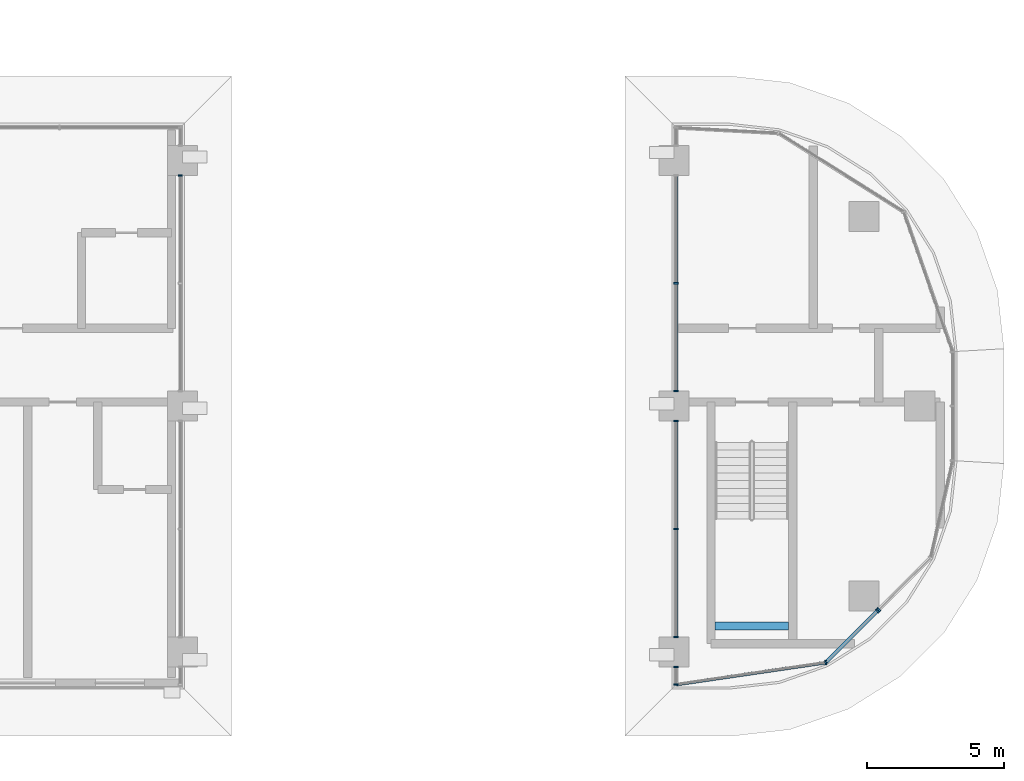
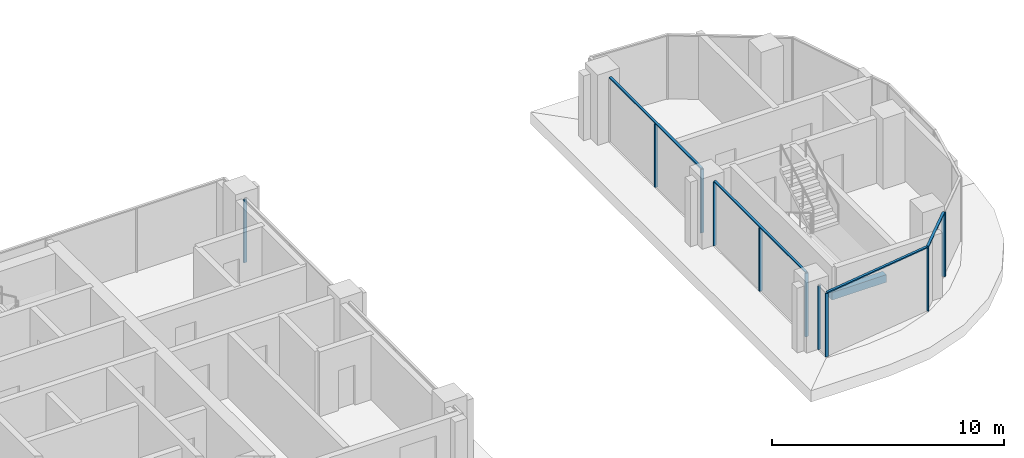
# One storey, part 3 of 27: 15 members, 1 beam, 6 elements without a shape of their own.
"""IFC4 building model written with IfcOpenShell, lengths in metres."""

from ifc_helpers import new_model, si_unit, direction, frame, origin, origin_2d, place, context, subcontext, project, spatial, rectangle, extrude, material, material_profile, profile_set, type_object, element, aggregate, save


model = new_model("IFC4")

# Units and contexts
model_context = context("Model", 3, precision=1e-05, world=origin(), true_north=direction((0.0, 1.0)))
body_context = subcontext(model_context, "Body", "Model", "MODEL_VIEW")
ifc_project = project(units=[si_unit("LENGTHUNIT", "METRE"), si_unit("AREAUNIT", "SQUARE_METRE"), si_unit("VOLUMEUNIT", "CUBIC_METRE"), si_unit("PLANEANGLEUNIT", "RADIAN"), si_unit("MASSUNIT", "GRAM", prefix="KILO")], contexts=[model_context])

# Site, building, storey
site_placement = place(None, origin())
site = spatial("IfcSite", under=ifc_project, at=site_placement, CompositionType="ELEMENT")
building_placement = place(site_placement, origin())
building = spatial("IfcBuilding", under=site, at=building_placement, Name="Ogive Portal Towers", CompositionType="ELEMENT")
storey_placement = place(building_placement, frame((0.0, 0.0, 160.699951171875)))
storey = spatial("IfcBuildingStorey", under=building, at=storey_placement, Name="L39", CompositionType="ELEMENT", Elevation=160.699951171875)

# Beam
ifc_material_1 = material(Name="Concrete C40/50", Category="concrete")
ifc_material_profile_1 = material_profile(ifc_material_1, rectangle(XDim=0.300048828125, YDim=0.39990234375, at=origin_2d()), Name="RC 300x400")
ifc_profile_set_1 = profile_set([ifc_material_profile_1], Name="Concrete C40/50")
beam_type = type_object("IfcBeamType", Name="BEAM RC 300x400", PredefinedType="BEAM", material=ifc_profile_set_1)
beam_placement = place(storey_placement, frame((87.0, 22.449951171875, 1.449951171875), z_axis=(1.0, 0.0, 0.0), x_axis=(0.0, 1.0, 0.0)))
element("IfcBeam", 1, at=beam_placement, inside=storey, type_object=beam_type, Name="Landing beam L39", PredefinedType="BEAM", context=body_context, shape_type="SweptSolid", body=[
    extrude(rectangle(XDim=0.300048828125, YDim=0.39990234375, at=origin_2d()), origin(), (0.0, 0.0, 1.0), 2.699951171875),
])

# Curtain wall, member
ifc_material_2 = material(Name="Glass, clear low-iron insulated glazing", Category="glass")
curtain_wall_type_1 = type_object("IfcCurtainWallType", Name="CW PORTAL REVEAL", PredefinedType="NOTDEFINED", material=ifc_material_2)
curtain_wall_1_placement = place(storey_placement, origin())
curtain_wall_1 = element("IfcCurtainWall", 2, at=curtain_wall_1_placement, inside=storey, type_object=curtain_wall_type_1, Name="A:L39:f06:cw0~2", PredefinedType="NOTDEFINED")
ifc_material_3 = material(Name="Aluminium 6063 anodised", Category="aluminium")
ifc_material_profile_2 = material_profile(ifc_material_3, rectangle(XDim=0.159912109375, YDim=0.06005859375, at=origin_2d()), Name="AL 60x160")
ifc_profile_set_2 = profile_set([ifc_material_profile_2], Name="Aluminium 6063 anodised")
member_type_1 = type_object("IfcMemberType", Name="CW MULLION 60x160", PredefinedType="MULLION", material=ifc_profile_set_2)
member_1_placement = place(storey_placement, frame((67.419921875, 38.949951171875, 0.0), z_axis=(0.0, 0.0, 1.0), x_axis=(-1.0, 0.0, 0.0)))
member_1 = element("IfcMember", 3, at=member_1_placement, type_object=member_type_1, Name="mullion", PredefinedType="MULLION", context=body_context, shape_type="SweptSolid", body=[
    extrude(rectangle(XDim=0.159912109375, YDim=0.06005859375, at=origin_2d()), origin(), (0.0, 0.0, 1.0), 3.340087890625),
])
aggregate(curtain_wall_1, [member_1])

# Curtain wall, members
curtain_wall_2_placement = place(storey_placement, origin())
curtain_wall_2 = element("IfcCurtainWall", 4, at=curtain_wall_2_placement, inside=storey, type_object=curtain_wall_type_1, Name="A:L39:f22:cw0~1", PredefinedType="NOTDEFINED")
member_2_placement = place(storey_placement, frame((85.580078125, 35.0, 0.0), z_axis=(0.0, 0.0, 1.0), x_axis=(1.0, 0.0, 0.0)))
member_2 = element("IfcMember", 5, at=member_2_placement, type_object=member_type_1, Name="mullion", PredefinedType="MULLION", context=body_context, shape_type="SweptSolid", body=[
    extrude(rectangle(XDim=0.159912109375, YDim=0.06005859375, at=origin_2d()), origin(), (0.0, 0.0, 1.0), 3.340087890625),
])
member_3_placement = place(storey_placement, frame((85.580078125, 31.050048828125, 0.0), z_axis=(0.0, 0.0, 1.0), x_axis=(1.0, 0.0, 0.0)))
member_3 = element("IfcMember", 6, at=member_3_placement, type_object=member_type_1, Name="mullion", PredefinedType="MULLION", context=body_context, shape_type="SweptSolid", body=[
    extrude(rectangle(XDim=0.159912109375, YDim=0.06005859375, at=origin_2d()), origin(), (0.0, 0.0, 1.0), 3.340087890625),
])

curtain_wall_3_placement = place(storey_placement, origin())
curtain_wall_3 = element("IfcCurtainWall", 7, at=curtain_wall_3_placement, inside=storey, type_object=curtain_wall_type_1, Name="A:L39:f22:cw0~2", PredefinedType="NOTDEFINED")
member_4_placement = place(storey_placement, frame((85.580078125, 29.949951171875, 0.0), z_axis=(0.0, 0.0, 1.0), x_axis=(1.0, 0.0, 0.0)))
member_4 = element("IfcMember", 8, at=member_4_placement, type_object=member_type_1, Name="mullion", PredefinedType="MULLION", context=body_context, shape_type="SweptSolid", body=[
    extrude(rectangle(XDim=0.159912109375, YDim=0.06005859375, at=origin_2d()), origin(), (0.0, 0.0, 1.0), 3.340087890625),
])
member_5_placement = place(storey_placement, frame((85.580078125, 26.0, 0.0), z_axis=(0.0, 0.0, 1.0), x_axis=(1.0, 0.0, 0.0)))
member_5 = element("IfcMember", 9, at=member_5_placement, type_object=member_type_1, Name="mullion", PredefinedType="MULLION", context=body_context, shape_type="SweptSolid", body=[
    extrude(rectangle(XDim=0.159912109375, YDim=0.06005859375, at=origin_2d()), origin(), (0.0, 0.0, 1.0), 3.340087890625),
])
member_6_placement = place(storey_placement, frame((85.580078125, 22.050048828125, 0.0), z_axis=(0.0, 0.0, 1.0), x_axis=(1.0, 0.0, 0.0)))
member_6 = element("IfcMember", 10, at=member_6_placement, type_object=member_type_1, Name="mullion", PredefinedType="MULLION", context=body_context, shape_type="SweptSolid", body=[
    extrude(rectangle(XDim=0.159912109375, YDim=0.06005859375, at=origin_2d()), origin(), (0.0, 0.0, 1.0), 3.340087890625),
])

curtain_wall_4_placement = place(storey_placement, origin())
curtain_wall_4 = element("IfcCurtainWall", 11, at=curtain_wall_4_placement, inside=storey, type_object=curtain_wall_type_1, Name="A:L39:f22:cw0~3", PredefinedType="NOTDEFINED")
member_7_placement = place(storey_placement, frame((85.580078125, 20.949951171875, 0.0), z_axis=(0.0, 0.0, 1.0), x_axis=(1.0, 0.0, 0.0)))
member_7 = element("IfcMember", 12, at=member_7_placement, type_object=member_type_1, Name="mullion", PredefinedType="MULLION", context=body_context, shape_type="SweptSolid", body=[
    extrude(rectangle(XDim=0.159912109375, YDim=0.06005859375, at=origin_2d()), origin(), (0.0, 0.0, 1.0), 3.340087890625),
])
member_8_placement = place(storey_placement, frame((85.580078125, 20.3076171875, 0.0), z_axis=(0.0, 0.0, 1.0), x_axis=(1.0, 0.0, 0.0)))
member_8 = element("IfcMember", 13, at=member_8_placement, type_object=member_type_1, Name="mullion", PredefinedType="MULLION", context=body_context, shape_type="SweptSolid", body=[
    extrude(rectangle(XDim=0.159912109375, YDim=0.06005859375, at=origin_2d()), origin(), (0.0, 0.0, 1.0), 3.340087890625),
])
aggregate(curtain_wall_4, [member_7, member_8])

curtain_wall_type_2 = type_object("IfcCurtainWallType", Name="CW FRONT RIBBON 4500", PredefinedType="NOTDEFINED", material=ifc_material_2)
curtain_wall_5_placement = place(storey_placement, origin())
curtain_wall_5 = element("IfcCurtainWall", 14, at=curtain_wall_5_placement, inside=storey, type_object=curtain_wall_type_2, Name="A:L39:f23:cwa~0", PredefinedType="NOTDEFINED")
member_9_placement = place(storey_placement, frame((91.056884765625, 21.11083984375, 0.0), z_axis=(0.0, 0.0, 1.0), x_axis=(-0.145099125939, 0.989417123185, 0.0)))
member_9 = element("IfcMember", 15, at=member_9_placement, type_object=member_type_1, Name="mullion", PredefinedType="MULLION", context=body_context, shape_type="SweptSolid", body=[
    extrude(rectangle(XDim=0.159912109375, YDim=0.06005859375, at=origin_2d()), origin(), (0.0, 0.0, 1.0), 3.340087890625),
])
member_10_placement = place(storey_placement, frame((92.946044921875, 23.0, 0.0), z_axis=(0.0, 0.0, 1.0), x_axis=(-0.707106781187, 0.707106781187, 0.0)))
member_10 = element("IfcMember", 16, at=member_10_placement, type_object=member_type_1, Name="mullion", PredefinedType="MULLION", context=body_context, shape_type="SweptSolid", body=[
    extrude(rectangle(XDim=0.159912109375, YDim=0.06005859375, at=origin_2d()), origin(), (0.0, 0.0, 1.0), 3.340087890625),
])

# Curtain wall, member
curtain_wall_6_placement = place(storey_placement, origin())
curtain_wall_6 = element("IfcCurtainWall", 17, at=curtain_wall_6_placement, inside=storey, type_object=curtain_wall_type_2, Name="A:L39:f23:cwa~1", PredefinedType="NOTDEFINED")
member_11_placement = place(storey_placement, frame((93.0, 23.053955078125, 0.0), z_axis=(0.0, 0.0, 1.0), x_axis=(-0.707106781187, 0.707106781187, 0.0)))
member_11 = element("IfcMember", 18, at=member_11_placement, type_object=member_type_1, Name="mullion", PredefinedType="MULLION", context=body_context, shape_type="SweptSolid", body=[
    extrude(rectangle(XDim=0.159912109375, YDim=0.06005859375, at=origin_2d()), origin(), (0.0, 0.0, 1.0), 3.340087890625),
])
aggregate(curtain_wall_6, [member_11])

# Member
ifc_material_profile_3 = material_profile(ifc_material_3, rectangle(XDim=0.1201171875, YDim=0.06005859375, at=origin_2d()), Name="AL 120x60")
ifc_profile_set_3 = profile_set([ifc_material_profile_3], Name="Aluminium 6063 anodised")
member_type_2 = type_object("IfcMemberType", Name="CW TRANSOM 60x120", PredefinedType="USERDEFINED", material=ifc_profile_set_3)
member_12_placement = place(storey_placement, frame((85.580078125, 38.949951171875, 3.3701171875), z_axis=(0.0, -1.0, 0.0), x_axis=(1.0, 0.0, 0.0)))
member_12 = element("IfcMember", 19, at=member_12_placement, type_object=member_type_2, Name="transom", ObjectType="TRANSOM", PredefinedType="USERDEFINED", context=body_context, shape_type="SweptSolid", body=[
    extrude(rectangle(XDim=0.1201171875, YDim=0.06005859375, at=origin_2d()), origin(), (0.0, 0.0, 1.0), 7.89990234375),
])

aggregate(curtain_wall_2, [member_12, member_2, member_3])

member_13_placement = place(storey_placement, frame((85.580078125, 29.949951171875, 3.3701171875), z_axis=(0.0, -1.0, 0.0), x_axis=(1.0, 0.0, 0.0)))
member_13 = element("IfcMember", 20, at=member_13_placement, type_object=member_type_2, Name="transom", ObjectType="TRANSOM", PredefinedType="USERDEFINED", context=body_context, shape_type="SweptSolid", body=[
    extrude(rectangle(XDim=0.1201171875, YDim=0.06005859375, at=origin_2d()), origin(), (0.0, 0.0, 1.0), 7.89990234375),
])

aggregate(curtain_wall_3, [member_13, member_4, member_5, member_6])

member_14_placement = place(storey_placement, frame((85.580078125, 20.3076171875, 3.3701171875), z_axis=(0.989416011901, 0.145106703479, 0.0), x_axis=(-0.145106703479, 0.989416011901, 0.0)))
member_14 = element("IfcMember", 21, at=member_14_placement, type_object=member_type_2, Name="transom", ObjectType="TRANSOM", PredefinedType="USERDEFINED", context=body_context, shape_type="SweptSolid", body=[
    extrude(rectangle(XDim=0.1201171875, YDim=0.06005859375, at=origin_2d()), origin(), (0.0, 0.0, 1.0), 5.535400390625),
])

member_15_placement = place(storey_placement, frame((91.056884765625, 21.11083984375, 3.3701171875), z_axis=(0.707106781187, 0.707106781187, 0.0), x_axis=(-0.707106781187, 0.707106781187, 0.0)))
member_15 = element("IfcMember", 22, at=member_15_placement, type_object=member_type_2, Name="transom", ObjectType="TRANSOM", PredefinedType="USERDEFINED", context=body_context, shape_type="SweptSolid", body=[
    extrude(rectangle(XDim=0.1201171875, YDim=0.06005859375, at=origin_2d()), origin(), (0.0, 0.0, 1.0), 2.671630859375),
])

aggregate(curtain_wall_5, [member_14, member_15, member_9, member_10])

save(model, "model.ifc")
